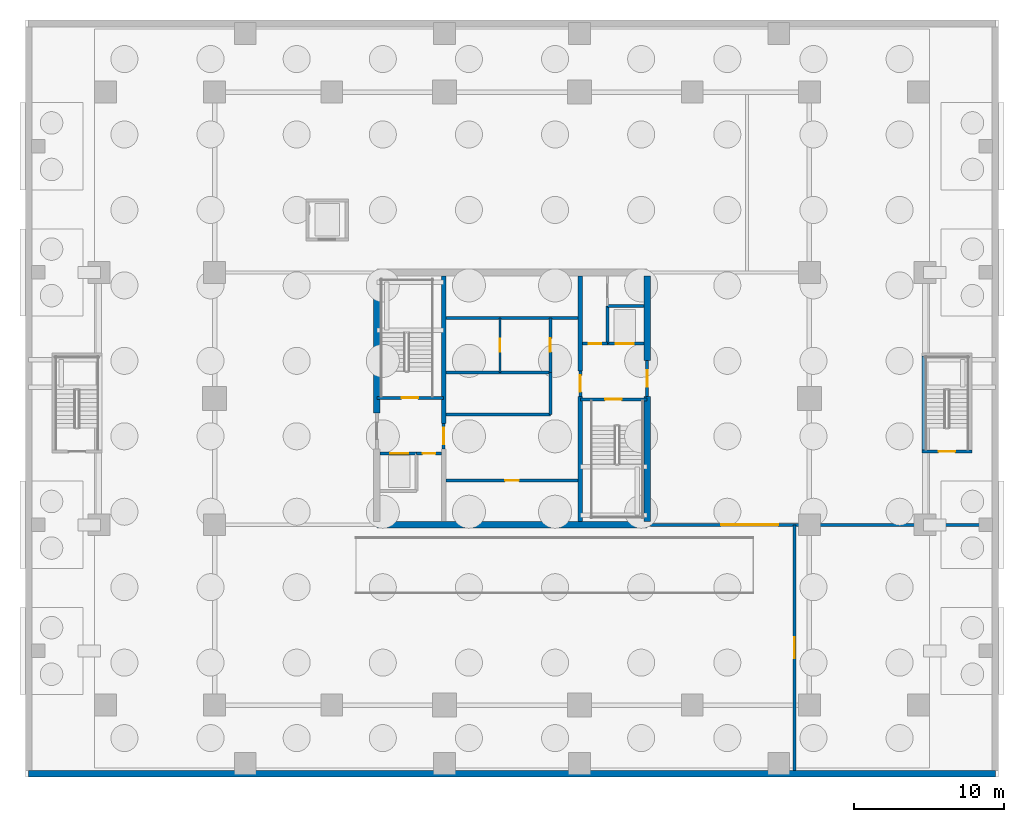
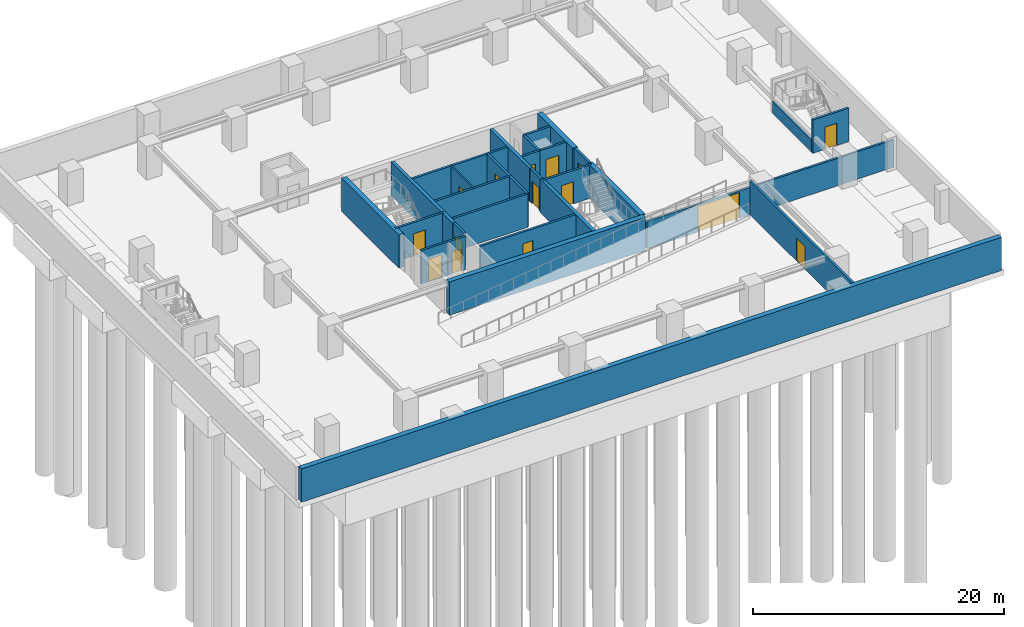
# One storey, part 3 of 12: 30 walls, 15 doors, 15 openings.
"""IFC4 building model written with IfcOpenShell, lengths in metres."""

import ifcopenshell
import ifcopenshell.guid

model = None  # the IFC model being written
_history = None  # IfcOwnerHistory: only IFC2X3 demands one
_inside = {}  # id of a spatial element -> (the spatial element, [elements in it])
_under = {}  # id of a project, library or spatial element -> (it, [spatial elements below it])
_declared = {}  # id of a project -> (the project, [libraries it declares])
_typed = {}  # id of a type object -> (the type object, [elements of that type])
_made_of = {}  # id of a material, layer set ... -> (it, [elements and type objects made of it])


def new_model(schema):
    """Start an empty IFC model of exactly this schema.

    Asked for "IFC4X3", IfcOpenShell would pick the latest addendum, in which some entities
    have other attributes; the version numbers below select the first issue.
    IFC2X3 requires an IfcOwnerHistory on every rooted entity: one is made here for all.
    """
    global model, _history
    if schema == "IFC4X3":
        model = ifcopenshell.file(schema_version=(4, 3, 0, 0))
    else:
        model = ifcopenshell.file(schema=schema)
    _inside.clear()
    _under.clear()
    _declared.clear()
    _typed.clear()
    _made_of.clear()
    _history = None
    if model.schema == "IFC2X3":
        org = make("IfcOrganization", Name="unknown")
        user = make(
            "IfcPersonAndOrganization",
            ThePerson=make("IfcPerson", FamilyName="unknown"),
            TheOrganization=org,
        )
        app = make(
            "IfcApplication",
            ApplicationDeveloper=org,
            Version="unknown",
            ApplicationFullName="unknown",
            ApplicationIdentifier="unknown",
        )
        _history = make(
            "IfcOwnerHistory",
            OwningUser=user,
            OwningApplication=app,
            ChangeAction="ADDED",
            CreationDate=0,
        )
    return model


def make(cls, **values):
    """One entity of the class cls with the attributes given. An attribute that is None is left unset."""
    return model.create_entity(
        cls, **{name: value for name, value in values.items() if value is not None}
    )


def rooted(cls, **values):
    """An entity with a GlobalId (a new one), such as an element, a storey or a relation."""
    return make(cls, GlobalId=ifcopenshell.guid.new(), OwnerHistory=_history, **values)


def si_unit(unit_type, name, prefix=None):
    """IfcSIUnit, for example si_unit("LENGTHUNIT", "METRE", prefix="MILLI")."""
    return make("IfcSIUnit", UnitType=unit_type, Prefix=prefix, Name=name)


def assignment(units):
    """IfcUnitAssignment: the units of a project."""
    return None if units is None else make("IfcUnitAssignment", Units=units)


def point(xyz):
    """IfcCartesianPoint."""
    return None if xyz is None else make("IfcCartesianPoint", Coordinates=xyz)


def direction(xyz):
    """IfcDirection."""
    return None if xyz is None else make("IfcDirection", DirectionRatios=xyz)


def frame(location, z_axis=None, x_axis=None):
    """IfcAxis2Placement3D, a coordinate frame: its origin and axes. An axis left out is left unset."""
    return make(
        "IfcAxis2Placement3D",
        Location=point(location),
        Axis=direction(z_axis),
        RefDirection=direction(x_axis),
    )


def frame_2d(location, x_axis=None):
    """IfcAxis2Placement2D, a coordinate frame in the plane: its origin and x axis."""
    return make(
        "IfcAxis2Placement2D", Location=point(location), RefDirection=direction(x_axis)
    )


def origin():
    """The frame at (0, 0, 0) with its axes left unset."""
    return frame((0.0, 0.0, 0.0))


def place(relative_to, where):
    """IfcLocalPlacement: puts the frame where relative to a parent placement (None: the world)."""
    return make(
        "IfcLocalPlacement", PlacementRelTo=relative_to, RelativePlacement=where
    )


def context(
    kind, dimensions, precision=None, world=None, true_north=None, identifier=None
):
    """IfcGeometricRepresentationContext, for example the 3D "Model" context."""
    return make(
        "IfcGeometricRepresentationContext",
        ContextIdentifier=identifier,
        ContextType=kind,
        CoordinateSpaceDimension=dimensions,
        Precision=precision,
        WorldCoordinateSystem=world,
        TrueNorth=true_north,
    )


def subcontext(parent, identifier, kind, view, scale=None):
    """IfcGeometricRepresentationSubContext, for example "Body" below "Model"."""
    return make(
        "IfcGeometricRepresentationSubContext",
        ContextIdentifier=identifier,
        ContextType=kind,
        ParentContext=parent,
        TargetScale=scale,
        TargetView=view,
    )


def project(units=None, contexts=None):
    """IfcProject with its units and contexts."""
    return rooted(
        "IfcProject",
        Name="project",
        RepresentationContexts=contexts,
        UnitsInContext=assignment(units),
    )


def spatial(cls, under=None, at=None, **own):
    """A site, building, storey or space (cls), placed at a placement, below another one or the project."""
    s = rooted(cls, ObjectPlacement=at, **own)
    if under is not None:
        _under.setdefault(under.id(), (under, []))[1].append(s)
    return s


def profile(cls, at=None, kind="AREA", **sizes):
    """A parametric profile (cls). Its sizes go by their IFC names, for example OverallWidth=200.0."""
    return make(cls, ProfileType=kind, Position=at, **sizes)


def rectangle(**sizes):
    """IfcRectangleProfileDef."""
    return profile("IfcRectangleProfileDef", **sizes)


def extrude(swept, where, along, depth):
    """IfcExtrudedAreaSolid: the profile swept, set in the frame where, extruded along a direction by depth."""
    return make(
        "IfcExtrudedAreaSolid",
        SweptArea=swept,
        Position=where,
        ExtrudedDirection=direction(along),
        Depth=depth,
    )


def shape(context_of_items, identifier, shape_type, items):
    """IfcShapeRepresentation: the items that make up one representation, for example the "Body"."""
    return make(
        "IfcShapeRepresentation",
        ContextOfItems=context_of_items,
        RepresentationIdentifier=identifier,
        RepresentationType=shape_type,
        Items=items,
    )


def source(mapping_origin, context_of_items, identifier, shape_type, items):
    """IfcRepresentationMap: a shape defined once, which mapped items show again and again."""
    return make(
        "IfcRepresentationMap",
        MappingOrigin=mapping_origin,
        MappedRepresentation=shape(context_of_items, identifier, shape_type, items),
    )


def transform(
    local_origin,
    x_axis=None,
    y_axis=None,
    z_axis=None,
    scale=None,
    scale2=None,
    scale3=None,
    uniform=True,
):
    """IfcCartesianTransformationOperator3D, or its non-uniform kind. x_axis, y_axis, z_axis: its Axis1, 2, 3."""
    if uniform:
        return make(
            "IfcCartesianTransformationOperator3D",
            Axis1=direction(x_axis),
            Axis2=direction(y_axis),
            LocalOrigin=point(local_origin),
            Scale=scale,
            Axis3=direction(z_axis),
        )
    return make(
        "IfcCartesianTransformationOperator3DnonUniform",
        Axis1=direction(x_axis),
        Axis2=direction(y_axis),
        LocalOrigin=point(local_origin),
        Scale=scale,
        Axis3=direction(z_axis),
        Scale2=scale2,
        Scale3=scale3,
    )


def mapped(mapping_source, mapping_target):
    """IfcMappedItem: shows the shape of a source again, moved by a transform."""
    return make(
        "IfcMappedItem", MappingSource=mapping_source, MappingTarget=mapping_target
    )


def material(Name=None, Category=None):
    """IfcMaterial."""
    return make("IfcMaterial", Name=Name, Category=Category)


def layer(
    of_material, thickness, ventilated=None, Name=None, Category=None, Priority=None
):
    """IfcMaterialLayer: one layer of a wall or slab, of a material (None: an air gap)."""
    return make(
        "IfcMaterialLayer",
        Material=of_material,
        LayerThickness=thickness,
        IsVentilated=ventilated,
        Name=Name,
        Category=Category,
        Priority=Priority,
    )


def layer_set(layers, Name=None):
    """IfcMaterialLayerSet."""
    return make("IfcMaterialLayerSet", MaterialLayers=layers, LayerSetName=Name)


def made_of(thing, what):
    """Note that an element or type object is made of a material, layer set ...; save() writes the relation."""
    if what is not None:
        _made_of.setdefault(what.id(), (what, []))[1].append(thing)
    return thing


def type_object(cls, material=None, **own):
    """A type object (cls), such as IfcWallType, which elements share."""
    return made_of(rooted(cls, **own), material)


def element(
    cls,
    number,
    at=None,
    inside=None,
    cuts=None,
    type_object=None,
    material=None,
    context=None,
    identifier="Body",
    shape_type=None,
    held_by="IfcProductDefinitionShape",
    body=None,
    shapes=None,
    **own,
):
    """One element of the class cls, such as IfcWall. Its Tag is "e" and its number.

    at: its placement. inside: the storey or other place that contains it. cuts: it is an
    opening in that element (IfcRelVoidsElement). A single representation is given by context,
    identifier, shape_type and body (its items); several are given by shapes. held_by: the class
    of the entity that holds the representations. save() writes the other relations.
    """
    e = rooted(cls, Tag="e%d" % number, ObjectPlacement=at, **own)
    if body is not None:
        shapes = [shape(context, identifier, shape_type, body)]
    if shapes is not None:
        e.Representation = make(held_by, Representations=shapes)
    if inside is not None:
        _inside.setdefault(inside.id(), (inside, []))[1].append(e)
    if cuts is not None:
        rooted(
            "IfcRelVoidsElement", RelatingBuildingElement=cuts, RelatedOpeningElement=e
        )
    if type_object is not None:
        _typed.setdefault(type_object.id(), (type_object, []))[1].append(e)
    return made_of(e, material)


def fill(opening, filler):
    """IfcRelFillsElement: the door or window that sits in an opening."""
    return rooted(
        "IfcRelFillsElement",
        RelatingOpeningElement=opening,
        RelatedBuildingElement=filler,
    )


def aggregate(whole, parts):
    """IfcRelAggregates: a whole, such as a stair, and the parts it consists of."""
    return rooted("IfcRelAggregates", RelatingObject=whole, RelatedObjects=parts)


def save(model, path):
    """Write the relations noted so far, then the file.

    IfcRelAggregates (storeys below a building ...), IfcRelContainedInSpatialStructure (elements
    in a storey), IfcRelDefinesByType, IfcRelAssociatesMaterial and IfcRelDeclares: one each for
    every whole, place, type object, material and project.
    """
    for whole, parts in _under.values():
        aggregate(whole, parts)
    for where, things in _inside.values():
        rooted(
            "IfcRelContainedInSpatialStructure",
            RelatedElements=things,
            RelatingStructure=where,
        )
    for kind, things in _typed.values():
        rooted("IfcRelDefinesByType", RelatedObjects=things, RelatingType=kind)
    for what, things in _made_of.values():
        rooted("IfcRelAssociatesMaterial", RelatedObjects=things, RelatingMaterial=what)
    for by, libraries in _declared.values():
        rooted("IfcRelDeclares", RelatingContext=by, RelatedDefinitions=libraries)
    model.write(path)


model = new_model("IFC4")

# Units and contexts
model_context = context("Model", 3, precision=1e-05, world=origin(), true_north=direction((0.0, 1.0)))
body_context = subcontext(model_context, "Body", "Model", "MODEL_VIEW")
ifc_project = project(units=[si_unit("LENGTHUNIT", "METRE"), si_unit("AREAUNIT", "SQUARE_METRE"), si_unit("VOLUMEUNIT", "CUBIC_METRE"), si_unit("PLANEANGLEUNIT", "RADIAN"), si_unit("MASSUNIT", "GRAM", prefix="KILO")], contexts=[model_context])

# Site, building, storey
site_placement = place(None, origin())
site = spatial("IfcSite", under=ifc_project, at=site_placement, CompositionType="ELEMENT")
building_placement = place(site_placement, origin())
building = spatial("IfcBuilding", under=site, at=building_placement, Name="Serunith Strait Residences", CompositionType="ELEMENT")
storey_placement = place(building_placement, frame((0.0, 0.0, -10.800048828125)))
storey = spatial("IfcBuildingStorey", under=building, at=storey_placement, Name="B03", CompositionType="ELEMENT", Elevation=-10.800048828125)

# Wall, opening, door
ifc_material_1 = material(Name="Fire-rated masonry service closet wall", Category="masonry")
ifc_layer_1 = layer(ifc_material_1, 0.14990234375, Name="Fire-rated masonry service closet wall")
ifc_layer_set_1 = layer_set([ifc_layer_1], Name="Fire-rated masonry service closet wall")
wall_type_1 = type_object("IfcWallType", Name="IW-BOH-150", PredefinedType="PARTITIONING", material=ifc_layer_set_1)
wall_1_placement = place(storey_placement, frame((31.60009765625, 26.949951171875, 0.0), z_axis=(0.0, 0.0, 1.0), x_axis=(0.0, 1.0, 0.0)))
wall_1 = element("IfcWall", 1, at=wall_1_placement, inside=storey, type_object=wall_type_1, Name="B03 Partition Wall 018", PredefinedType="PARTITIONING", context=body_context, shape_type="SweptSolid", body=[
    extrude(rectangle(XDim=3.60009765625, YDim=0.14990234375, at=frame_2d((1.800048828125, 0.0))), origin(), (0.0, 0.0, 1.0), 3.239990234375),
])
opening_1_placement = place(wall_1_placement, frame((1.375, 0.0, 0.0)))
opening_1 = element("IfcOpeningElement", 2, at=opening_1_placement, cuts=wall_1, Name="Opening FD-850", PredefinedType="OPENING", context=body_context, shape_type="SweptSolid", body=[
    extrude(rectangle(XDim=0.85009765625, YDim=2.10009765625, at=frame_2d((0.425048828125, 1.050048828125))), frame((0.0, 0.0849609375, 0.0), z_axis=(0.0, -1.0, 0.0), x_axis=(1.0, 0.0, 0.0)), (0.0, 0.0, 1.0), 0.169921875),
])
ifc_material_2 = material(Name="Powder-coated steel service closet door", Category="steel")
door_type_1 = type_object("IfcDoorType", Name="FD-BOH-850", OperationType="NOTDEFINED", PredefinedType="DOOR", material=ifc_material_2)
shared_shape_1 = source(origin(), body_context, "Body", "SweptSolid", [
    extrude(rectangle(XDim=0.85009765625, YDim=2.10009765625, at=frame_2d((0.425048828125, 1.050048828125))), frame((0.0, 0.02490234375, 0.0), z_axis=(0.0, -1.0, 0.0), x_axis=(1.0, 0.0, 0.0)), (0.0, 0.0, 1.0), 0.050048828125),
])
door_1_placement = place(opening_1_placement, origin())
door_1 = element("IfcDoor", 3, at=door_1_placement, inside=storey, type_object=door_type_1, Name="B03 Zone Telecoms Door", OperationType="SINGLE_SWING_LEFT", OverallHeight=2.10009765625, OverallWidth=0.85009765625, PredefinedType="DOOR", context=body_context, shape_type="MappedRepresentation", body=[
    mapped(shared_shape_1, transform((0.0, 0.0, 0.0), scale=1.0)),
])
fill(opening_1, door_1)

ifc_material_3 = material(Name="Acoustic concrete block plant wall", Category="concrete")
ifc_layer_2 = layer(ifc_material_3, 0.199951171875, Name="Acoustic concrete block plant wall")
ifc_layer_set_2 = layer_set([ifc_layer_2], Name="Acoustic concrete block plant wall")
wall_type_2 = type_object("IfcWallType", Name="IW-PLANT-200", PredefinedType="STANDARD", material=ifc_layer_set_2)
wall_2_placement = place(storey_placement, frame((51.199951171875, 0.449951171875, 0.0), z_axis=(0.0, 0.0, 1.0), x_axis=(0.0, 1.0, 0.0)))
wall_2 = element("IfcWall", 4, at=wall_2_placement, inside=storey, type_object=wall_type_2, Name="B03 Partition Wall 019", PredefinedType="STANDARD", context=body_context, shape_type="SweptSolid", body=[
    extrude(rectangle(XDim=16.35009765625, YDim=0.199951171875, at=frame_2d((8.175048828125, 0.0))), origin(), (0.0, 0.0, 1.0), 3.239990234375),
])
opening_2_placement = place(wall_2_placement, frame((7.47509765625, 0.0, 0.0)))
opening_2 = element("IfcOpeningElement", 5, at=opening_2_placement, cuts=wall_2, Name="Opening FD-1400", PredefinedType="OPENING", context=body_context, shape_type="SweptSolid", body=[
    extrude(rectangle(XDim=1.39990234375, YDim=2.199951171875, at=frame_2d((0.699951171875, 1.10009765625))), frame((0.0, 0.10986328125, 0.0), z_axis=(0.0, -1.0, 0.0), x_axis=(1.0, 0.0, 0.0)), (0.0, 0.0, 1.0), 0.219970703125),
])
ifc_material_4 = material(Name="Acoustic double-skin steel plant door", Category="steel")
door_type_2 = type_object("IfcDoorType", Name="FD-PLANT-1400", OperationType="DOUBLE_DOOR_SINGLE_SWING", PredefinedType="DOOR", material=ifc_material_4)
shared_shape_2 = source(origin(), body_context, "Body", "SweptSolid", [
    extrude(rectangle(XDim=1.39990234375, YDim=2.199951171875, at=frame_2d((0.699951171875, 1.10009765625))), frame((0.0, 0.02490234375, 0.0), z_axis=(0.0, -1.0, 0.0), x_axis=(1.0, 0.0, 0.0)), (0.0, 0.0, 1.0), 0.050048828125),
])
door_2_placement = place(opening_2_placement, origin())
door_2 = element("IfcDoor", 6, at=door_2_placement, inside=storey, type_object=door_type_2, Name="B03 Basement Plant Fire Door", OperationType="DOUBLE_DOOR_SINGLE_SWING", OverallHeight=2.199951171875, OverallWidth=1.39990234375, PredefinedType="DOOR", context=body_context, shape_type="MappedRepresentation", body=[
    mapped(shared_shape_2, transform((0.0, 0.0, 0.0), scale=1.0)),
])
fill(opening_2, door_2)

wall_3_placement = place(storey_placement, frame((41.625, 16.800048828125, 0.0), z_axis=(0.0, 0.0, 1.0), x_axis=(1.0, 0.0, 0.0)))
wall_3 = element("IfcWall", 7, at=wall_3_placement, inside=storey, type_object=wall_type_2, Name="B03 Partition Wall 020", PredefinedType="STANDARD", context=body_context, shape_type="SweptSolid", body=[
    extrude(rectangle(XDim=22.72509765625, YDim=0.199951171875, at=frame_2d((11.362548828125, 0.0))), origin(), (0.0, 0.0, 1.0), 2.672119140625),
])
opening_3_placement = place(wall_3_placement, frame((4.697021484375, 0.0, 0.0)))
opening_3 = element("IfcOpeningElement", 8, at=opening_3_placement, cuts=wall_3, Name="Opening GT-3800", PredefinedType="OPENING", context=body_context, shape_type="SweptSolid", body=[
    extrude(rectangle(XDim=3.800048828125, YDim=2.5, at=frame_2d((1.89990234375, 1.25))), frame((0.0, 0.10986328125, 0.0), z_axis=(0.0, -1.0, 0.0), x_axis=(1.0, 0.0, 0.0)), (0.0, 0.0, 1.0), 0.219970703125),
])
ifc_material_5 = material(Name="Perforated galvanised steel roller shutter", Category="steel")
door_type_3 = type_object("IfcDoorType", Name="GATE-BSMT-3800", OperationType="ROLLINGUP", PredefinedType="GATE", material=ifc_material_5)
shared_shape_3 = source(origin(), body_context, "Body", "SweptSolid", [
    extrude(rectangle(XDim=3.800048828125, YDim=2.5, at=frame_2d((1.89990234375, 1.25))), frame((0.0, 0.02490234375, 0.0), z_axis=(0.0, -1.0, 0.0), x_axis=(1.0, 0.0, 0.0)), (0.0, 0.0, 1.0), 0.050048828125),
])
door_3_placement = place(opening_3_placement, origin())
door_3 = element("IfcDoor", 9, at=door_3_placement, inside=storey, type_object=door_type_3, Name="B03 Car-Park Compartment Roller Gate", OperationType="ROLLINGUP", OverallHeight=2.5, OverallWidth=3.800048828125, PredefinedType="GATE", context=body_context, shape_type="MappedRepresentation", body=[
    mapped(shared_shape_3, transform((0.0, 0.0, 0.0), scale=1.0)),
])
fill(opening_3, door_3)

ifc_material_6 = material(Name="Autoclaved aerated concrete blockwork", Category="masonry")
ifc_layer_3 = layer(ifc_material_6, 0.199951171875, Name="Autoclaved aerated concrete blockwork")
ifc_layer_set_3 = layer_set([ifc_layer_3], Name="Autoclaved aerated concrete blockwork")
wall_type_3 = type_object("IfcWallType", Name="IW-SHAFT-200", PredefinedType="STANDARD", material=ifc_layer_set_3)
wall_4_placement = place(storey_placement, frame((23.39990234375, 25.25, 0.0), z_axis=(0.0, 0.0, 1.0), x_axis=(1.0, 0.0, 0.0)))
wall_4 = element("IfcWall", 10, at=wall_4_placement, inside=storey, type_object=wall_type_3, Name="B03 ST-1 South Shaft Wall", PredefinedType="STANDARD", context=body_context, shape_type="SweptSolid", body=[
    extrude(rectangle(XDim=4.4501953125, YDim=0.199951171875, at=frame_2d((2.22509765625, 0.0))), origin(), (0.0, 0.0, 1.0), 3.239990234375),
])
opening_4_placement = place(wall_4_placement, frame((1.64990234375, 0.0, 0.0)))
opening_4 = element("IfcOpeningElement", 11, at=opening_4_placement, cuts=wall_4, Name="Opening FD-1100", PredefinedType="OPENING", context=body_context, shape_type="SweptSolid", body=[
    extrude(rectangle(XDim=1.10009765625, YDim=2.14990234375, at=frame_2d((0.550048828125, 1.074951171875))), frame((0.0, 0.10986328125, 0.0), z_axis=(0.0, -1.0, 0.0), x_axis=(1.0, 0.0, 0.0)), (0.0, 0.0, 1.0), 0.219970703125),
])
ifc_material_7 = material(Name="Galvanised steel fire door leaf", Category="steel")
door_type_4 = type_object("IfcDoorType", Name="FD-STAIR-1100", OperationType="NOTDEFINED", PredefinedType="DOOR", material=ifc_material_7)
shared_shape_4 = source(origin(), body_context, "Body", "SweptSolid", [
    extrude(rectangle(XDim=1.10009765625, YDim=2.14990234375, at=frame_2d((0.550048828125, 1.074951171875))), frame((0.0, 0.02490234375, 0.0), z_axis=(0.0, -1.0, 0.0), x_axis=(1.0, 0.0, 0.0)), (0.0, 0.0, 1.0), 0.050048828125),
])
door_4_placement = place(opening_4_placement, origin())
door_4 = element("IfcDoor", 12, at=door_4_placement, inside=storey, type_object=door_type_4, Name="B03 ST-1 Escape Stair Door", OperationType="SINGLE_SWING_LEFT", OverallHeight=2.14990234375, OverallWidth=1.10009765625, PredefinedType="DOOR", context=body_context, shape_type="MappedRepresentation", body=[
    mapped(shared_shape_4, transform((0.0, 0.0, 0.0), scale=1.0)),
])
fill(opening_4, door_4)

wall_5_placement = place(storey_placement, frame((36.949951171875, 25.14990234375, 0.0), z_axis=(0.0, 0.0, 1.0), x_axis=(1.0, 0.0, 0.0)))
wall_5 = element("IfcWall", 13, at=wall_5_placement, inside=storey, type_object=wall_type_3, Name="B03 ST-2 North Shaft Wall", PredefinedType="STANDARD", context=body_context, shape_type="SweptSolid", body=[
    extrude(rectangle(XDim=4.449951171875, YDim=0.199951171875, at=frame_2d((2.22509765625, 0.0))), origin(), (0.0, 0.0, 1.0), 3.239990234375),
])
opening_5_placement = place(wall_5_placement, frame((1.64990234375, 0.0, 0.0)))
opening_5 = element("IfcOpeningElement", 14, at=opening_5_placement, cuts=wall_5, Name="Opening FD-1100", PredefinedType="OPENING", context=body_context, shape_type="SweptSolid", body=[
    extrude(rectangle(XDim=1.10009765625, YDim=2.14990234375, at=frame_2d((0.550048828125, 1.074951171875))), frame((0.0, 0.10986328125, 0.0), z_axis=(0.0, -1.0, 0.0), x_axis=(1.0, 0.0, 0.0)), (0.0, 0.0, 1.0), 0.219970703125),
])
door_5_placement = place(opening_5_placement, origin())
door_5 = element("IfcDoor", 15, at=door_5_placement, inside=storey, type_object=door_type_4, Name="B03 ST-2 Escape Stair Door", OperationType="SINGLE_SWING_RIGHT", OverallHeight=2.14990234375, OverallWidth=1.10009765625, PredefinedType="DOOR", context=body_context, shape_type="MappedRepresentation", body=[
    mapped(shared_shape_4, transform((0.0, 0.0, 0.0), scale=1.0)),
])
fill(opening_5, door_5)

wall_6_placement = place(storey_placement, frame((59.679931640625, 21.679931640625, 0.0), z_axis=(0.0, 0.0, 1.0), x_axis=(1.0, 0.0, 0.0)))
wall_6 = element("IfcWall", 16, at=wall_6_placement, inside=storey, type_object=wall_type_3, Name="B03 ST-6 South Shaft Wall", PredefinedType="STANDARD", context=body_context, shape_type="SweptSolid", body=[
    extrude(rectangle(XDim=3.340087890625, YDim=0.199951171875, at=frame_2d((1.669921875, 0.0))), origin(), (0.0, 0.0, 1.0), 3.239990234375),
])
opening_6_placement = place(wall_6_placement, frame((1.1201171875, 0.0, 0.0)))
opening_6 = element("IfcOpeningElement", 17, at=opening_6_placement, cuts=wall_6, Name="Opening FD-1100", PredefinedType="OPENING", context=body_context, shape_type="SweptSolid", body=[
    extrude(rectangle(XDim=1.10009765625, YDim=2.14990234375, at=frame_2d((0.550048828125, 1.074951171875))), frame((0.0, 0.10986328125, 0.0), z_axis=(0.0, -1.0, 0.0), x_axis=(1.0, 0.0, 0.0)), (0.0, 0.0, 1.0), 0.219970703125),
])
door_6_placement = place(opening_6_placement, origin())
door_6 = element("IfcDoor", 18, at=door_6_placement, inside=storey, type_object=door_type_4, Name="B03 ST-6 Escape Stair Door", OperationType="SINGLE_SWING_LEFT", OverallHeight=2.14990234375, OverallWidth=1.10009765625, PredefinedType="DOOR", context=body_context, shape_type="MappedRepresentation", body=[
    mapped(shared_shape_4, transform((0.0, 0.0, 0.0), scale=1.0)),
])
fill(opening_6, door_6)

# Wall
wall_7_placement = place(storey_placement, frame((59.780029296875, 21.780029296875, 0.0), z_axis=(0.0, 0.0, 1.0), x_axis=(0.0, 1.0, 0.0)))
element("IfcWall", 19, at=wall_7_placement, inside=storey, type_object=wall_type_3, Name="B03 ST-6 West Shaft Wall", PredefinedType="STANDARD", context=body_context, shape_type="SweptSolid", body=[
    extrude(rectangle(XDim=6.239990234375, YDim=0.199951171875, at=frame_2d((3.1201171875, 0.0))), origin(), (0.0, 0.0, 1.0), 1.18505859375),
])

# Wall, opening, door
wall_8_placement = place(storey_placement, frame((23.625, 21.550048828125, 0.0), z_axis=(0.0, 0.0, 1.0), x_axis=(1.0, 0.0, 0.0)))
wall_8 = element("IfcWall", 20, at=wall_8_placement, inside=storey, type_object=wall_type_3, Name="B03 FL-1 North Shaft Wall", PredefinedType="STANDARD", context=body_context, shape_type="SweptSolid", body=[
    extrude(rectangle(XDim=2.425048828125, YDim=0.199951171875, at=frame_2d((1.21240234375, 0.0))), origin(), (0.0, 0.0, 1.0), 3.239990234375),
])
opening_7_placement = place(wall_8_placement, frame((0.675048828125, 0.0, 0.0)))
opening_7 = element("IfcOpeningElement", 21, at=opening_7_placement, cuts=wall_8, Name="Opening LD-FF1200", PredefinedType="OPENING", context=body_context, shape_type="SweptSolid", body=[
    extrude(rectangle(XDim=1.199951171875, YDim=2.199951171875, at=frame_2d((0.60009765625, 1.10009765625))), frame((0.0, 0.10986328125, 0.0), z_axis=(0.0, -1.0, 0.0), x_axis=(1.0, 0.0, 0.0)), (0.0, 0.0, 1.0), 0.219970703125),
])
ifc_material_8 = material(Name="Brushed stainless steel landing door", Category="steel")
door_type_5 = type_object("IfcDoorType", Name="LD-FF-1200", OperationType="DOUBLE_DOOR_SLIDING", PredefinedType="DOOR", material=ifc_material_8)
shared_shape_5 = source(origin(), body_context, "Body", "SweptSolid", [
    extrude(rectangle(XDim=1.199951171875, YDim=2.199951171875, at=frame_2d((0.60009765625, 1.10009765625))), frame((0.0, 0.02490234375, 0.0), z_axis=(0.0, -1.0, 0.0), x_axis=(1.0, 0.0, 0.0)), (0.0, 0.0, 1.0), 0.050048828125),
])
door_7_placement = place(opening_7_placement, origin())
door_7 = element("IfcDoor", 22, at=door_7_placement, inside=storey, type_object=door_type_5, Name="B03 FL-1 Landing Door", OperationType="DOUBLE_DOOR_SLIDING", OverallHeight=2.199951171875, OverallWidth=1.199951171875, PredefinedType="DOOR", context=body_context, shape_type="MappedRepresentation", body=[
    mapped(shared_shape_5, transform((0.0, 0.0, 0.0), scale=1.0)),
])
fill(opening_7, door_7)

wall_9_placement = place(storey_placement, frame((38.75, 28.85009765625, 0.0), z_axis=(0.0, 0.0, 1.0), x_axis=(1.0, 0.0, 0.0)))
wall_9 = element("IfcWall", 23, at=wall_9_placement, inside=storey, type_object=wall_type_3, Name="B03 FL-2 South Shaft Wall", PredefinedType="STANDARD", context=body_context, shape_type="SweptSolid", body=[
    extrude(rectangle(XDim=2.425048828125, YDim=0.199951171875, at=frame_2d((1.21240234375, 0.0))), origin(), (0.0, 0.0, 1.0), 3.239990234375),
])
opening_8_placement = place(wall_9_placement, frame((0.550048828125, 0.0, 0.0)))
opening_8 = element("IfcOpeningElement", 24, at=opening_8_placement, cuts=wall_9, Name="Opening LD-FF1200", PredefinedType="OPENING", context=body_context, shape_type="SweptSolid", body=[
    extrude(rectangle(XDim=1.199951171875, YDim=2.199951171875, at=frame_2d((0.60009765625, 1.10009765625))), frame((0.0, 0.10986328125, 0.0), z_axis=(0.0, -1.0, 0.0), x_axis=(1.0, 0.0, 0.0)), (0.0, 0.0, 1.0), 0.219970703125),
])
door_8_placement = place(opening_8_placement, origin())
door_8 = element("IfcDoor", 25, at=door_8_placement, inside=storey, type_object=door_type_5, Name="B03 FL-2 Landing Door", OperationType="DOUBLE_DOOR_SLIDING", OverallHeight=2.199951171875, OverallWidth=1.199951171875, PredefinedType="DOOR", context=body_context, shape_type="MappedRepresentation", body=[
    mapped(shared_shape_5, transform((0.0, 0.0, 0.0), scale=1.0)),
])
fill(opening_8, door_8)

wall_10_placement = place(storey_placement, frame((26.052001953125, 21.550048828125, 0.0), z_axis=(0.0, 0.0, 1.0), x_axis=(1.0, 0.0, 0.0)))
wall_10 = element("IfcWall", 26, at=wall_10_placement, inside=storey, type_object=wall_type_3, Name="B03 Partition Wall 003", PredefinedType="STANDARD", context=body_context, shape_type="SweptSolid", body=[
    extrude(rectangle(XDim=1.64794921875, YDim=0.199951171875, at=frame_2d((0.823974609375, 0.0))), origin(), (0.0, 0.0, 1.0), 3.239990234375),
])
opening_9_placement = place(wall_10_placement, frame((0.39892578125, 0.0, 0.0)))
opening_9 = element("IfcOpeningElement", 27, at=opening_9_placement, cuts=wall_10, Name="Opening FD-850", PredefinedType="OPENING", context=body_context, shape_type="SweptSolid", body=[
    extrude(rectangle(XDim=0.85009765625, YDim=2.10009765625, at=frame_2d((0.425048828125, 1.050048828125))), frame((0.0, 0.10986328125, 0.0), z_axis=(0.0, -1.0, 0.0), x_axis=(1.0, 0.0, 0.0)), (0.0, 0.0, 1.0), 0.219970703125),
])
door_9_placement = place(opening_9_placement, origin())
door_9 = element("IfcDoor", 28, at=door_9_placement, inside=storey, type_object=door_type_1, Name="B03 South-West Core Service Door", OperationType="SINGLE_SWING_RIGHT", OverallHeight=2.10009765625, OverallWidth=0.85009765625, PredefinedType="DOOR", context=body_context, shape_type="MappedRepresentation", body=[
    mapped(shared_shape_1, transform((0.0, 0.0, 0.0), scale=1.0)),
])
fill(opening_9, door_9)

# Walls
wall_11_placement = place(storey_placement, frame((38.75, 28.85009765625, 0.0), z_axis=(0.0, 0.0, 1.0), x_axis=(0.0, 1.0, 0.0)))
element("IfcWall", 29, at=wall_11_placement, inside=storey, type_object=wall_type_3, Name="B03 Partition Wall 004", PredefinedType="STANDARD", context=body_context, shape_type="SweptSolid", body=[
    extrude(rectangle(XDim=2.5, YDim=0.199951171875, at=frame_2d((1.25, 0.0))), origin(), (0.0, 0.0, 1.0), 3.239990234375),
])
wall_12_placement = place(storey_placement, frame((38.75, 31.35009765625, 0.0), z_axis=(0.0, 0.0, 1.0), x_axis=(1.0, 0.0, 0.0)))
element("IfcWall", 30, at=wall_12_placement, inside=storey, type_object=wall_type_3, Name="B03 Partition Wall 005", PredefinedType="STANDARD", context=body_context, shape_type="SweptSolid", body=[
    extrude(rectangle(XDim=2.425048828125, YDim=0.199951171875, at=frame_2d((1.21240234375, 0.0))), origin(), (0.0, 0.0, 1.0), 3.239990234375),
])

# Wall, opening, door
wall_13_placement = place(storey_placement, frame((37.10009765625, 28.85009765625, 0.0), z_axis=(0.0, 0.0, 1.0), x_axis=(1.0, 0.0, 0.0)))
wall_13 = element("IfcWall", 31, at=wall_13_placement, inside=storey, type_object=wall_type_3, Name="B03 Partition Wall 006", PredefinedType="STANDARD", context=body_context, shape_type="SweptSolid", body=[
    extrude(rectangle(XDim=1.64794921875, YDim=0.199951171875, at=frame_2d((0.823974609375, 0.0))), origin(), (0.0, 0.0, 1.0), 3.239990234375),
])
opening_10_placement = place(wall_13_placement, frame((0.39892578125, 0.0, 0.0)))
opening_10 = element("IfcOpeningElement", 32, at=opening_10_placement, cuts=wall_13, Name="Opening FD-850", PredefinedType="OPENING", context=body_context, shape_type="SweptSolid", body=[
    extrude(rectangle(XDim=0.85009765625, YDim=2.10009765625, at=frame_2d((0.425048828125, 1.050048828125))), frame((0.0, 0.10986328125, 0.0), z_axis=(0.0, -1.0, 0.0), x_axis=(1.0, 0.0, 0.0)), (0.0, 0.0, 1.0), 0.219970703125),
])
door_10_placement = place(opening_10_placement, origin())
door_10 = element("IfcDoor", 33, at=door_10_placement, inside=storey, type_object=door_type_1, Name="B03 North-East Core Service Door", OperationType="SINGLE_SWING_LEFT", OverallHeight=2.10009765625, OverallWidth=0.85009765625, PredefinedType="DOOR", context=body_context, shape_type="MappedRepresentation", body=[
    mapped(shared_shape_1, transform((0.0, 0.0, 0.0), scale=1.0)),
])
fill(opening_10, door_10)

wall_14_placement = place(storey_placement, frame((41.39990234375, 25.35205078125, 0.0), z_axis=(0.0, 0.0, 1.0), x_axis=(0.0, 1.0, 0.0)))
wall_14 = element("IfcWall", 34, at=wall_14_placement, inside=storey, type_object=wall_type_3, Name="B03 Partition Wall 008", PredefinedType="STANDARD", context=body_context, shape_type="SweptSolid", body=[
    extrude(rectangle(XDim=2.39599609375, YDim=0.199951171875, at=frame_2d((1.197998046875, 0.0))), origin(), (0.0, 0.0, 1.0), 3.239990234375),
])
opening_11_placement = place(wall_14_placement, frame((0.64794921875, 0.0, 0.0)))
opening_11 = element("IfcOpeningElement", 35, at=opening_11_placement, cuts=wall_14, Name="Opening FD-FFL", PredefinedType="OPENING", context=body_context, shape_type="SweptSolid", body=[
    extrude(rectangle(XDim=1.10009765625, YDim=2.14990234375, at=frame_2d((0.550048828125, 1.074951171875))), frame((0.0, 0.10986328125, 0.0), z_axis=(0.0, -1.0, 0.0), x_axis=(1.0, 0.0, 0.0)), (0.0, 0.0, 1.0), 0.219970703125),
])
ifc_material_9 = material(Name="Glazed steel smoke-lobby fire door", Category="steel")
door_type_6 = type_object("IfcDoorType", Name="FD-FFL-1100", OperationType="NOTDEFINED", PredefinedType="DOOR", material=ifc_material_9)
door_11_placement = place(opening_11_placement, origin())
door_11 = element("IfcDoor", 36, at=door_11_placement, inside=storey, type_object=door_type_6, Name="B03 FFL-2 Corridor Fire Door", OperationType="SINGLE_SWING_LEFT", OverallHeight=2.14990234375, OverallWidth=1.10009765625, PredefinedType="DOOR", context=body_context, shape_type="MappedRepresentation", body=[
    mapped(shared_shape_4, transform((0.0, 0.0, 0.0), scale=1.0)),
])
fill(opening_11, door_11)

wall_15_placement = place(storey_placement, frame((27.85009765625, 21.85205078125, 0.0), z_axis=(0.0, 0.0, 1.0), x_axis=(0.0, 1.0, 0.0)))
wall_15 = element("IfcWall", 37, at=wall_15_placement, inside=storey, type_object=wall_type_3, Name="B03 Partition Wall 009", PredefinedType="STANDARD", context=body_context, shape_type="SweptSolid", body=[
    extrude(rectangle(XDim=1.696044921875, YDim=0.199951171875, at=frame_2d((0.84814453125, 0.0))), origin(), (0.0, 0.0, 1.0), 3.239990234375),
])
opening_12_placement = place(wall_15_placement, frame((0.298095703125, 0.0, 0.0)))
opening_12 = element("IfcOpeningElement", 38, at=opening_12_placement, cuts=wall_15, Name="Opening FD-FFL", PredefinedType="OPENING", context=body_context, shape_type="SweptSolid", body=[
    extrude(rectangle(XDim=1.10009765625, YDim=2.14990234375, at=frame_2d((0.550048828125, 1.074951171875))), frame((0.0, 0.10986328125, 0.0), z_axis=(0.0, -1.0, 0.0), x_axis=(1.0, 0.0, 0.0)), (0.0, 0.0, 1.0), 0.219970703125),
])
door_12_placement = place(opening_12_placement, origin())
door_12 = element("IfcDoor", 39, at=door_12_placement, inside=storey, type_object=door_type_6, Name="B03 FFL-1 Lift Lobby Door", OperationType="SINGLE_SWING_RIGHT", OverallHeight=2.14990234375, OverallWidth=1.10009765625, PredefinedType="DOOR", context=body_context, shape_type="MappedRepresentation", body=[
    mapped(shared_shape_4, transform((0.0, 0.0, 0.0), scale=1.0)),
])
fill(opening_12, door_12)

wall_16_placement = place(storey_placement, frame((36.949951171875, 25.35205078125, 0.0), z_axis=(0.0, 0.0, 1.0), x_axis=(0.0, 1.0, 0.0)))
wall_16 = element("IfcWall", 40, at=wall_16_placement, inside=storey, type_object=wall_type_3, Name="B03 Partition Wall 010", PredefinedType="STANDARD", context=body_context, shape_type="SweptSolid", body=[
    extrude(rectangle(XDim=1.696044921875, YDim=0.199951171875, at=frame_2d((0.84814453125, 0.0))), origin(), (0.0, 0.0, 1.0), 3.239990234375),
])
opening_13_placement = place(wall_16_placement, frame((0.298095703125, 0.0, 0.0)))
opening_13 = element("IfcOpeningElement", 41, at=opening_13_placement, cuts=wall_16, Name="Opening FD-FFL", PredefinedType="OPENING", context=body_context, shape_type="SweptSolid", body=[
    extrude(rectangle(XDim=1.10009765625, YDim=2.14990234375, at=frame_2d((0.550048828125, 1.074951171875))), frame((0.0, 0.10986328125, 0.0), z_axis=(0.0, -1.0, 0.0), x_axis=(1.0, 0.0, 0.0)), (0.0, 0.0, 1.0), 0.219970703125),
])
door_13_placement = place(opening_13_placement, origin())
door_13 = element("IfcDoor", 42, at=door_13_placement, inside=storey, type_object=door_type_6, Name="B03 FFL-2 Lift Lobby Door", OperationType="SINGLE_SWING_LEFT", OverallHeight=2.14990234375, OverallWidth=1.10009765625, PredefinedType="DOOR", context=body_context, shape_type="MappedRepresentation", body=[
    mapped(shared_shape_4, transform((0.0, 0.0, 0.0), scale=1.0)),
])
fill(opening_13, door_13)

# Wall
wall_17_placement = place(storey_placement, frame((28.0, 30.550048828125, 0.0), z_axis=(0.0, 0.0, 1.0), x_axis=(1.0, 0.0, 0.0)))
element("IfcWall", 43, at=wall_17_placement, inside=storey, type_object=wall_type_3, Name="B03 Partition Wall 011", PredefinedType="STANDARD", context=body_context, shape_type="SweptSolid", body=[
    extrude(rectangle(XDim=8.800048828125, YDim=0.199951171875, at=frame_2d((4.39990234375, 0.0))), origin(), (0.0, 0.0, 1.0), 3.239990234375),
])

# Wall, opening, door
wall_18_placement = place(storey_placement, frame((28.0, 19.75, 0.0), z_axis=(0.0, 0.0, 1.0), x_axis=(1.0, 0.0, 0.0)))
wall_18 = element("IfcWall", 44, at=wall_18_placement, inside=storey, type_object=wall_type_3, Name="B03 Partition Wall 012", PredefinedType="STANDARD", context=body_context, shape_type="SweptSolid", body=[
    extrude(rectangle(XDim=8.800048828125, YDim=0.199951171875, at=frame_2d((4.39990234375, 0.0))), origin(), (0.0, 0.0, 1.0), 3.239990234375),
])
opening_14_placement = place(wall_18_placement, frame((3.949951171875, 0.0, 0.0)))
opening_14 = element("IfcOpeningElement", 45, at=opening_14_placement, cuts=wall_18, Name="Opening FD-900", PredefinedType="OPENING", context=body_context, shape_type="SweptSolid", body=[
    extrude(rectangle(XDim=0.89990234375, YDim=2.10009765625, at=frame_2d((0.449951171875, 1.050048828125))), frame((0.0, 0.10986328125, 0.0), z_axis=(0.0, -1.0, 0.0), x_axis=(1.0, 0.0, 0.0)), (0.0, 0.0, 1.0), 0.219970703125),
])
ifc_material_10 = material(Name="Powder-coated steel riser door", Category="steel")
door_type_7 = type_object("IfcDoorType", Name="FD-BOH-900", OperationType="NOTDEFINED", PredefinedType="DOOR", material=ifc_material_10)
shared_shape_6 = source(origin(), body_context, "Body", "SweptSolid", [
    extrude(rectangle(XDim=0.89990234375, YDim=2.10009765625, at=frame_2d((0.449951171875, 1.050048828125))), frame((0.0, 0.02490234375, 0.0), z_axis=(0.0, -1.0, 0.0), x_axis=(1.0, 0.0, 0.0)), (0.0, 0.0, 1.0), 0.050048828125),
])
door_14_placement = place(opening_14_placement, origin())
door_14 = element("IfcDoor", 46, at=door_14_placement, inside=storey, type_object=door_type_7, Name="B03 Basement Core Sump Door", OperationType="SINGLE_SWING_RIGHT", OverallHeight=2.10009765625, OverallWidth=0.89990234375, PredefinedType="DOOR", context=body_context, shape_type="MappedRepresentation", body=[
    mapped(shared_shape_6, transform((0.0, 0.0, 0.0), scale=1.0)),
])
fill(opening_14, door_14)

# Walls
for number, where, z_axis, x_axis, name in (
    (47, (28.0, 24.14990234375, 0.0), (0.0, 0.0, 1.0), (1.0, 0.0, 0.0), "B03 Partition Wall 013"),
    (48, (28.0, 26.949951171875, 0.0), (0.0, 0.0, 1.0), (1.0, 0.0, 0.0), "B03 Partition Wall 014"),
):
    element("IfcWall", number, at=place(storey_placement, frame(where, z_axis=z_axis, x_axis=x_axis)), inside=storey, type_object=wall_type_3, Name=name, PredefinedType="STANDARD", context=body_context, shape_type="SweptSolid", body=[
        extrude(rectangle(XDim=6.949951171875, YDim=0.199951171875, at=frame_2d((3.47509765625, 0.0))), origin(), (0.0, 0.0, 1.0), 3.239990234375),
    ])
wall_19_placement = place(storey_placement, frame((34.949951171875, 24.14990234375, 0.0), z_axis=(0.0, 0.0, 1.0), x_axis=(0.0, 1.0, 0.0)))
element("IfcWall", 49, at=wall_19_placement, inside=storey, type_object=wall_type_3, Name="B03 Partition Wall 015", PredefinedType="STANDARD", context=body_context, shape_type="SweptSolid", body=[
    extrude(rectangle(XDim=2.800048828125, YDim=0.199951171875, at=frame_2d((1.39990234375, 0.0))), origin(), (0.0, 0.0, 1.0), 3.239990234375),
])

# Wall, opening, door
wall_20_placement = place(storey_placement, frame((34.949951171875, 26.951904296875, 0.0), z_axis=(0.0, 0.0, 1.0), x_axis=(0.0, 1.0, 0.0)))
wall_20 = element("IfcWall", 50, at=wall_20_placement, inside=storey, type_object=wall_type_3, Name="B03 Partition Wall 017", PredefinedType="STANDARD", context=body_context, shape_type="SweptSolid", body=[
    extrude(rectangle(XDim=3.59814453125, YDim=0.199951171875, at=frame_2d((1.799072265625, 0.0))), origin(), (0.0, 0.0, 1.0), 3.239990234375),
])
opening_15_placement = place(wall_20_placement, frame((1.34912109375, 0.0, 0.0)))
opening_15 = element("IfcOpeningElement", 51, at=opening_15_placement, cuts=wall_20, Name="Opening FD-900", PredefinedType="OPENING", context=body_context, shape_type="SweptSolid", body=[
    extrude(rectangle(XDim=0.89990234375, YDim=2.10009765625, at=frame_2d((0.449951171875, 1.050048828125))), frame((0.0, 0.10986328125, 0.0), z_axis=(0.0, -1.0, 0.0), x_axis=(1.0, 0.0, 0.0)), (0.0, 0.0, 1.0), 0.219970703125),
])
door_15_placement = place(opening_15_placement, origin())
door_15 = element("IfcDoor", 52, at=door_15_placement, inside=storey, type_object=door_type_7, Name="B03 Central Comms Door", OperationType="SINGLE_SWING_RIGHT", OverallHeight=2.10009765625, OverallWidth=0.89990234375, PredefinedType="DOOR", context=body_context, shape_type="MappedRepresentation", body=[
    mapped(shared_shape_6, transform((0.0, 0.0, 0.0), scale=1.0)),
])
fill(opening_15, door_15)

# Walls
ifc_material_11 = material(Name="Concrete C50/60", Category="concrete")
ifc_layer_4 = layer(ifc_material_11, 0.449951171875, Name="Concrete C50/60")
ifc_layer_set_4 = layer_set([ifc_layer_4], Name="Concrete C50/60")
wall_type_4 = type_object("IfcWallType", Name="RW-450-C50", PredefinedType="USERDEFINED", material=ifc_layer_set_4)
wall_21_placement = place(storey_placement, frame((0.22509765625, 0.22509765625, 0.0), z_axis=(0.0, 0.0, 1.0), x_axis=(1.0, 0.0, 0.0)))
element("IfcWall", 53, at=wall_21_placement, inside=storey, type_object=wall_type_4, Name="B03 South Diaphragm Wall", ObjectType="RETAININGWALL", PredefinedType="USERDEFINED", context=body_context, shape_type="SweptSolid", body=[
    extrude(rectangle(XDim=64.349853515625, YDim=0.449951171875, at=frame_2d((32.1748046875, 0.0))), origin(), (0.0, 0.0, 1.0), 3.238037109375),
])
ifc_material_12 = material(Name="Concrete C80/95", Category="concrete")
ifc_layer_5 = layer(ifc_material_12, 0.300048828125, Name="Concrete C80/95")
ifc_layer_set_5 = layer_set([ifc_layer_5], Name="Concrete C80/95")
wall_type_5 = type_object("IfcWallType", Name="SW-300-C80", PredefinedType="SHEAR", material=ifc_layer_set_5)
wall_22_placement = place(storey_placement, frame((27.85009765625, 23.550048828125, 0.0), z_axis=(0.0, 0.0, 1.0), x_axis=(0.0, 1.0, 0.0)))
element("IfcWall", 54, at=wall_22_placement, inside=storey, type_object=wall_type_5, Name="B03 Core Internal West Web North Pier", PredefinedType="SHEAR", context=body_context, shape_type="SweptSolid", body=[
    extrude(rectangle(XDim=9.824951171875, YDim=0.300048828125, at=frame_2d((4.91259765625, 0.0))), origin(), (0.0, 0.0, 1.0), 3.238037109375),
])
wall_23_placement = place(storey_placement, frame((36.949951171875, 17.02490234375, 0.0), z_axis=(0.0, 0.0, 1.0), x_axis=(0.0, 1.0, 0.0)))
element("IfcWall", 55, at=wall_23_placement, inside=storey, type_object=wall_type_5, Name="B03 Core Internal East Web South Pier", PredefinedType="SHEAR", context=body_context, shape_type="SweptSolid", body=[
    extrude(rectangle(XDim=8.3251953125, YDim=0.300048828125, at=frame_2d((4.16259765625, 0.0))), origin(), (0.0, 0.0, 1.0), 3.238037109375),
])
wall_24_placement = place(storey_placement, frame((36.949951171875, 27.050048828125, 0.0), z_axis=(0.0, 0.0, 1.0), x_axis=(0.0, 1.0, 0.0)))
element("IfcWall", 56, at=wall_24_placement, inside=storey, type_object=wall_type_5, Name="B03 Core Internal East Web North Pier", PredefinedType="SHEAR", context=body_context, shape_type="SweptSolid", body=[
    extrude(rectangle(XDim=6.324951171875, YDim=0.300048828125, at=frame_2d((3.16259765625, 0.0))), origin(), (0.0, 0.0, 1.0), 3.238037109375),
])
ifc_layer_6 = layer(ifc_material_12, 0.449951171875, Name="Concrete C80/95")
ifc_layer_set_6 = layer_set([ifc_layer_6], Name="Concrete C80/95")
wall_type_6 = type_object("IfcWallType", Name="SW-450-C80", PredefinedType="SHEAR", material=ifc_layer_set_6)
wall_25_placement = place(storey_placement, frame((23.39990234375, 16.800048828125, 0.0), z_axis=(0.0, 0.0, 1.0), x_axis=(1.0, 0.0, 0.0)))
element("IfcWall", 57, at=wall_25_placement, inside=storey, type_object=wall_type_6, Name="B03 Core South Shear Wall", PredefinedType="SHEAR", context=body_context, shape_type="SweptSolid", body=[
    extrude(rectangle(XDim=18.0, YDim=0.449951171875, at=frame_2d((9.0, 0.0))), origin(), (0.0, 0.0, 1.0), 3.238037109375),
])
wall_26_placement = place(storey_placement, frame((23.39990234375, 24.25, 0.0), z_axis=(0.0, 0.0, 1.0), x_axis=(0.0, 1.0, 0.0)))
element("IfcWall", 58, at=wall_26_placement, inside=storey, type_object=wall_type_6, Name="B03 Core West Shear Wall North Pier", PredefinedType="SHEAR", context=body_context, shape_type="SweptSolid", body=[
    extrude(rectangle(XDim=9.125, YDim=0.449951171875, at=frame_2d((4.5625, 0.0))), origin(), (0.0, 0.0, 1.0), 3.238037109375),
])
wall_27_placement = place(storey_placement, frame((41.39990234375, 17.02490234375, 0.0), z_axis=(0.0, 0.0, 1.0), x_axis=(0.0, 1.0, 0.0)))
element("IfcWall", 59, at=wall_27_placement, inside=storey, type_object=wall_type_6, Name="B03 Core East Shear Wall South Pier", PredefinedType="SHEAR", context=body_context, shape_type="SweptSolid", body=[
    extrude(rectangle(XDim=8.3251953125, YDim=0.449951171875, at=frame_2d((4.16259765625, 0.0))), origin(), (0.0, 0.0, 1.0), 3.238037109375),
])
wall_28_placement = place(storey_placement, frame((41.39990234375, 27.75, 0.0), z_axis=(0.0, 0.0, 1.0), x_axis=(0.0, 1.0, 0.0)))
element("IfcWall", 60, at=wall_28_placement, inside=storey, type_object=wall_type_6, Name="B03 Core East Shear Wall North Pier", PredefinedType="SHEAR", context=body_context, shape_type="SweptSolid", body=[
    extrude(rectangle(XDim=5.625, YDim=0.449951171875, at=frame_2d((2.8125, 0.0))), origin(), (0.0, 0.0, 1.0), 3.238037109375),
])

save(model, "model.ifc")
